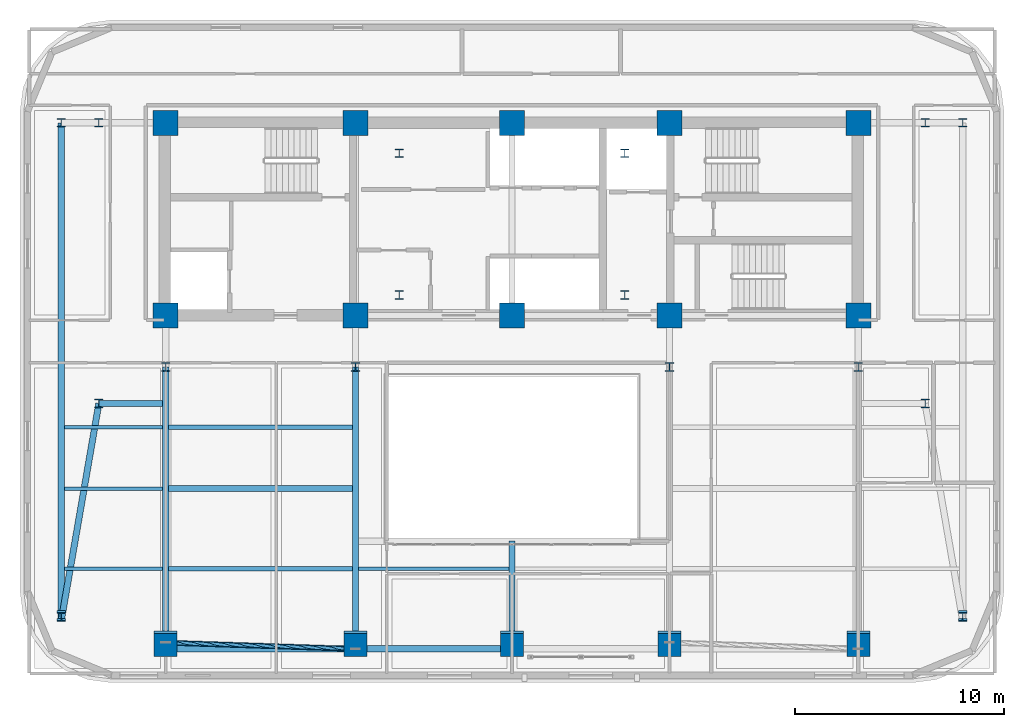
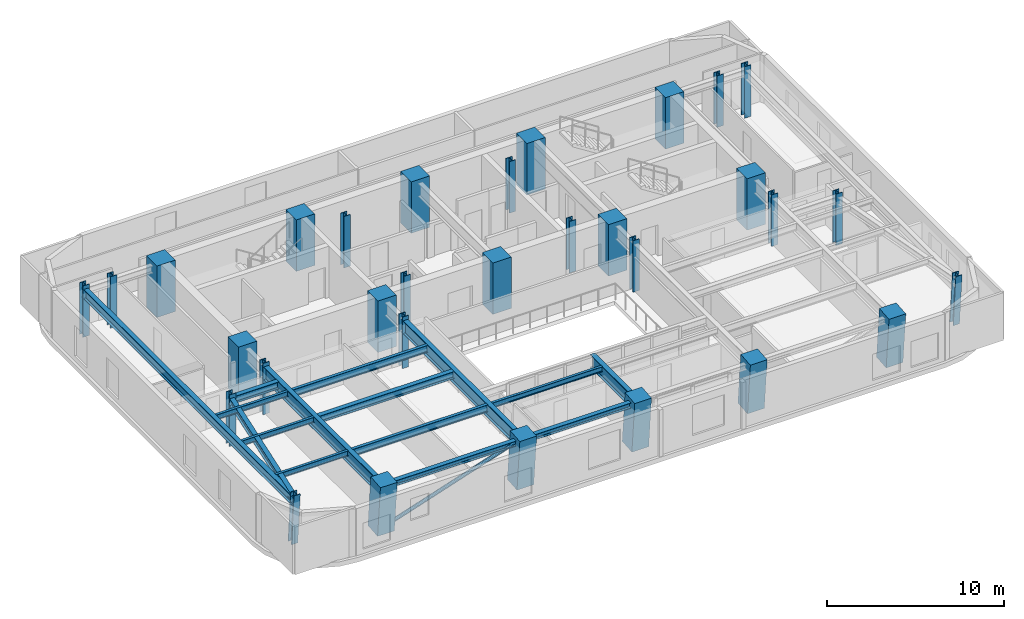
# One storey, part 1 of 12: 31 columns, 15 beams, 1 member.
"""IFC4 building model written with IfcOpenShell, lengths in metres."""

from ifc_helpers import new_model, si_unit, direction, frame, origin, origin_2d, place, context, subcontext, project, spatial, rectangle, hollow_circle, i_section, extrude, material, material_profile, profile_set, type_object, element, save


model = new_model("IFC4")

# Units and contexts
model_context = context("Model", 3, precision=1e-05, world=origin(), true_north=direction((0.0, 1.0)))
body_context = subcontext(model_context, "Body", "Model", "MODEL_VIEW")
ifc_project = project(units=[si_unit("LENGTHUNIT", "METRE"), si_unit("AREAUNIT", "SQUARE_METRE"), si_unit("VOLUMEUNIT", "CUBIC_METRE"), si_unit("PLANEANGLEUNIT", "RADIAN"), si_unit("MASSUNIT", "GRAM", prefix="KILO")], contexts=[model_context])

# Site, building, storey
site_placement = place(None, origin())
site = spatial("IfcSite", under=ifc_project, at=site_placement, CompositionType="ELEMENT")
building_placement = place(site_placement, origin())
building = spatial("IfcBuilding", under=site, at=building_placement, Name="Zarnavel Station Tower", CompositionType="ELEMENT")
storey_placement = place(building_placement, frame((0.0, 0.0, 155.449951171875)))
storey = spatial("IfcBuildingStorey", under=building, at=storey_placement, Name="L42", CompositionType="ELEMENT", Elevation=155.449951171875)

# Columns
ifc_material_1 = material(Name="Steel S355J2", Category="steel")
ifc_material_profile_1 = material_profile(ifc_material_1, i_section(OverallWidth=0.4130859375, OverallDepth=0.4150390625, WebThickness=0.030029296875, FlangeThickness=0.047119140625, FilletRadius=0.014892578125, at=origin_2d()), Name="HD400x347")
ifc_profile_set_1 = profile_set([ifc_material_profile_1], Name="Steel S355J2")
column_type_1 = type_object("IfcColumnType", Name="EC_HD347", PredefinedType="COLUMN", material=ifc_profile_set_1)
column_1_placement = place(storey_placement, frame((7.199951171875, 13.465087890625, 0.0), z_axis=(0.0, -0.079862380324, 0.996805898964), x_axis=(1.0, 0.0, 0.0)))
element("IfcColumn", 1, at=column_1_placement, inside=storey, type_object=column_type_1, Name="L42 Raked Wing Column 1", PredefinedType="COLUMN", context=body_context, shape_type="SweptSolid", body=[
    extrude(i_section(OverallWidth=0.4130859375, OverallDepth=0.4150390625, WebThickness=0.030029296875, FlangeThickness=0.047119140625, FilletRadius=0.014892578125, at=origin_2d()), origin(), (0.0, 0.0, 1.0), 3.5615234375),
])
column_2_placement = place(storey_placement, frame((7.199951171875, 37.050048828125, 0.0), z_axis=(0.0, 0.0, 1.0), x_axis=(1.0, 0.0, 0.0)))
element("IfcColumn", 2, at=column_2_placement, inside=storey, type_object=column_type_1, Name="L42 Outer Wing North Column 1", PredefinedType="COLUMN", context=body_context, shape_type="SweptSolid", body=[
    extrude(i_section(OverallWidth=0.4130859375, OverallDepth=0.4150390625, WebThickness=0.030029296875, FlangeThickness=0.047119140625, FilletRadius=0.014892578125, at=origin_2d()), origin(), (0.0, 0.0, 1.0), 3.550048828125),
])
column_3_placement = place(storey_placement, frame((50.39990234375, 13.465087890625, 0.0), z_axis=(0.0, -0.079862380324, 0.996805898964), x_axis=(1.0, 0.0, 0.0)))
element("IfcColumn", 3, at=column_3_placement, inside=storey, type_object=column_type_1, Name="L42 Raked Wing Column 2", PredefinedType="COLUMN", context=body_context, shape_type="SweptSolid", body=[
    extrude(i_section(OverallWidth=0.4130859375, OverallDepth=0.4150390625, WebThickness=0.030029296875, FlangeThickness=0.047119140625, FilletRadius=0.014892578125, at=origin_2d()), origin(), (0.0, 0.0, 1.0), 3.5615234375),
])
column_4_placement = place(storey_placement, frame((50.39990234375, 37.050048828125, 0.0), z_axis=(0.0, 0.0, 1.0), x_axis=(1.0, 0.0, 0.0)))
element("IfcColumn", 4, at=column_4_placement, inside=storey, type_object=column_type_1, Name="L42 Outer Wing North Column 2", PredefinedType="COLUMN", context=body_context, shape_type="SweptSolid", body=[
    extrude(i_section(OverallWidth=0.4130859375, OverallDepth=0.4150390625, WebThickness=0.030029296875, FlangeThickness=0.047119140625, FilletRadius=0.014892578125, at=origin_2d()), origin(), (0.0, 0.0, 1.0), 3.550048828125),
])
ifc_material_2 = material(Name="Steel S355J2", Category="steel")
ifc_material_profile_2 = material_profile(ifc_material_2, i_section(OverallWidth=0.4130859375, OverallDepth=0.4150390625, WebThickness=0.030029296875, FlangeThickness=0.047119140625, FilletRadius=0.014892578125, at=origin_2d()), Name="HD400x347")
ifc_profile_set_2 = profile_set([ifc_material_profile_2], Name="Steel S355J2")
column_type_2 = type_object("IfcColumnType", Name="IC_HD347", PredefinedType="COLUMN", material=ifc_profile_set_2)
for number, where, z_axis, x_axis, name in (
    (5, (23.39990234375, 28.800048828125, 0.0), (0.0, 0.0, 1.0), (1.0, 0.0, 0.0), "L42 Mast Spine Column 1"),
    (6, (34.199951171875, 28.800048828125, 0.0), (0.0, 0.0, 1.0), (1.0, 0.0, 0.0), "L42 Mast Spine Column 2"),
    (7, (34.199951171875, 35.60009765625, 0.0), (0.0, 0.0, 1.0), (1.0, 0.0, 0.0), "L42 Mast Spine Column 3"),
    (8, (23.39990234375, 35.60009765625, 0.0), (0.0, 0.0, 1.0), (1.0, 0.0, 0.0), "L42 Mast Spine Column 4"),
    (9, (12.199951171875, 25.35009765625, 0.0), (0.0, 0.0, 1.0), (1.0, 0.0, 0.0), "L42 Inner Spine Column 1"),
    (10, (21.300048828125, 25.35009765625, 0.0), (0.0, 0.0, 1.0), (1.0, 0.0, 0.0), "L42 Inner Spine Column 2"),
    (11, (36.35009765625, 25.35009765625, 0.0), (0.0, 0.0, 1.0), (1.0, 0.0, 0.0), "L42 Inner Spine Column 4"),
    (12, (45.39990234375, 25.35009765625, 0.0), (0.0, 0.0, 1.0), (1.0, 0.0, 0.0), "L42 Inner Spine Column 5"),
    (13, (9.0, 23.60009765625, 0.0), (0.0, 0.0, 1.0), (1.0, 0.0, 0.0), "L42 Inner Wing Spine Column 1-1"),
    (14, (9.0, 37.050048828125, 0.0), (0.0, 0.0, 1.0), (1.0, 0.0, 0.0), "L42 Inner Wing Spine Column 1-2"),
    (15, (48.60009765625, 23.60009765625, 0.0), (0.0, 0.0, 1.0), (1.0, 0.0, 0.0), "L42 Inner Wing Spine Column 2-1"),
    (16, (48.60009765625, 37.050048828125, 0.0), (0.0, 0.0, 1.0), (1.0, 0.0, 0.0), "L42 Inner Wing Spine Column 2-2"),
):
    element("IfcColumn", number, at=place(storey_placement, frame(where, z_axis=z_axis, x_axis=x_axis)), inside=storey, type_object=column_type_2, Name=name, PredefinedType="COLUMN", context=body_context, shape_type="SweptSolid", body=[
        extrude(i_section(OverallWidth=0.4130859375, OverallDepth=0.4150390625, WebThickness=0.030029296875, FlangeThickness=0.047119140625, FilletRadius=0.014892578125, at=origin_2d()), origin(), (0.0, 0.0, 1.0), 3.550048828125),
    ])
ifc_material_3 = material(Name="Concrete C50/60", Category="concrete")
ifc_material_profile_3 = material_profile(ifc_material_3, rectangle(XDim=1.199951171875, YDim=1.199951171875, at=origin_2d()), Name="RC1200x1200")
ifc_profile_set_3 = profile_set([ifc_material_profile_3], Name="Concrete C50/60")
column_type_3 = type_object("IfcColumnType", Name="IC_RC1200", PredefinedType="COLUMN", material=ifc_profile_set_3)
for number, where, z_axis, x_axis, name in (
    (17, (12.199951171875, 27.820068359375, 0.0), (0.0, 0.0, 1.0), (1.0, 0.0, 0.0), "L42 Core Spine Column 1-1"),
    (18, (12.199951171875, 37.050048828125, 0.0), (0.0, 0.0, 1.0), (1.0, 0.0, 0.0), "L42 Core Spine Column 1-2"),
    (19, (21.300048828125, 27.820068359375, 0.0), (0.0, 0.0, 1.0), (1.0, 0.0, 0.0), "L42 Core Spine Column 2-1"),
    (20, (21.300048828125, 37.050048828125, 0.0), (0.0, 0.0, 1.0), (1.0, 0.0, 0.0), "L42 Core Spine Column 2-2"),
    (21, (28.800048828125, 27.820068359375, 0.0), (0.0, 0.0, 1.0), (1.0, 0.0, 0.0), "L42 Core Spine Column 3-1"),
    (22, (28.800048828125, 37.050048828125, 0.0), (0.0, 0.0, 1.0), (1.0, 0.0, 0.0), "L42 Core Spine Column 3-2"),
    (23, (36.35009765625, 27.820068359375, 0.0), (0.0, 0.0, 1.0), (1.0, 0.0, 0.0), "L42 Core Spine Column 4-1"),
    (24, (36.35009765625, 37.050048828125, 0.0), (0.0, 0.0, 1.0), (1.0, 0.0, 0.0), "L42 Core Spine Column 4-2"),
    (25, (45.39990234375, 27.820068359375, 0.0), (0.0, 0.0, 1.0), (1.0, 0.0, 0.0), "L42 Core Spine Column 5-1"),
    (26, (45.39990234375, 37.050048828125, 0.0), (0.0, 0.0, 1.0), (1.0, 0.0, 0.0), "L42 Core Spine Column 5-2"),
):
    element("IfcColumn", number, at=place(storey_placement, frame(where, z_axis=z_axis, x_axis=x_axis)), inside=storey, type_object=column_type_3, Name=name, PredefinedType="COLUMN", context=body_context, shape_type="SweptSolid", body=[
        extrude(rectangle(XDim=1.199951171875, YDim=1.199951171875, at=origin_2d()), origin(), (0.0, 0.0, 1.0), 3.550048828125),
    ])
ifc_material_4 = material(Name="Concrete C50/60", Category="concrete")
ifc_material_profile_4 = material_profile(ifc_material_4, rectangle(XDim=1.10009765625, YDim=1.10009765625, at=origin_2d()), Name="RC1100x1100")
ifc_profile_set_4 = profile_set([ifc_material_profile_4], Name="Concrete C50/60")
column_type_4 = type_object("IfcColumnType", Name="MC_RC1100", PredefinedType="COLUMN", material=ifc_profile_set_4)
for number, where, z_axis, x_axis, name in (
    (27, (12.199951171875, 12.14111328125, 0.0), (0.0, -0.0902702026, 0.995917311087), (1.0, 0.0, 0.0), "L42 Raked South Mega-Column 1"),
    (28, (21.300048828125, 12.14111328125, 0.0), (0.0, -0.0902702026, 0.995917311087), (1.0, 0.0, 0.0), "L42 Raked South Mega-Column 2"),
    (29, (28.800048828125, 12.14111328125, 0.0), (0.0, -0.0902702026, 0.995917311087), (1.0, 0.0, 0.0), "L42 Raked South Mega-Column 3"),
    (30, (36.35009765625, 12.14111328125, 0.0), (0.0, -0.0902702026, 0.995917311087), (1.0, 0.0, 0.0), "L42 Raked South Mega-Column 4"),
    (31, (45.39990234375, 12.14111328125, 0.0), (0.0, -0.0902702026, 0.995917311087), (1.0, 0.0, 0.0), "L42 Raked South Mega-Column 5"),
):
    element("IfcColumn", number, at=place(storey_placement, frame(where, z_axis=z_axis, x_axis=x_axis)), inside=storey, type_object=column_type_4, Name=name, PredefinedType="COLUMN", context=body_context, shape_type="SweptSolid", body=[
        extrude(rectangle(XDim=1.10009765625, YDim=1.10009765625, at=origin_2d()), origin(), (0.0, 0.0, 1.0), 3.564697265625),
    ])

# Member
ifc_material_5 = material(Name="Steel S355J2", Category="steel")
ifc_material_profile_5 = material_profile(ifc_material_5, hollow_circle(Radius=0.122314453125, WallThickness=0.010009765625, at=origin_2d()), Name="CHS244.5x10")
ifc_profile_set_5 = profile_set([ifc_material_profile_5], Name="Steel S355J2")
member_type = type_object("IfcMemberType", Name="DB_EXT_CHS245", PredefinedType="BRACE", material=ifc_profile_set_5)
member_placement = place(storey_placement, frame((12.199951171875, 12.14111328125, 0.0), z_axis=(0.93997940641, -0.030791298364, 0.339839096442), x_axis=(0.032739857023, 0.999463907183, 0.0)))
element("IfcMember", 32, at=member_placement, inside=storey, type_object=member_type, Name="L42 Persian Exterior Diagonal Frame Brace 1", PredefinedType="BRACE", context=body_context, shape_type="SweptSolid", body=[
    extrude(hollow_circle(Radius=0.122314453125, WallThickness=0.010009765625, at=origin_2d()), origin(), (0.0, 0.0, 1.0), 9.68115234375),
])

# Beams
ifc_material_6 = material(Name="Steel S355J2", Category="steel")
ifc_material_profile_6 = material_profile(ifc_material_6, i_section(OverallWidth=0.300048828125, OverallDepth=0.360107421875, WebThickness=0.012451171875, FlangeThickness=0.0224609375, FilletRadius=0.027099609375, at=origin_2d()), Name="HEB360")
ifc_profile_set_6 = profile_set([ifc_material_profile_6], Name="Steel S355J2")
beam_type_1 = type_object("IfcBeamType", Name="EB_HEB360", PredefinedType="SPANDREL", material=ifc_profile_set_6)
beam_1_placement = place(storey_placement, frame((12.199951171875, 11.843017578125, 3.110107421875), z_axis=(1.0, 0.0, 0.0), x_axis=(0.0, 1.0, 0.0)))
element("IfcBeam", 33, at=beam_1_placement, inside=storey, type_object=beam_type_1, Name="L42 South Raked Spandrel 1", PredefinedType="SPANDREL", context=body_context, shape_type="SweptSolid", body=[
    extrude(i_section(OverallWidth=0.300048828125, OverallDepth=0.360107421875, WebThickness=0.012451171875, FlangeThickness=0.0224609375, FilletRadius=0.027099609375, at=origin_2d()), origin(), (0.0, 0.0, 1.0), 9.10009765625),
])
beam_2_placement = place(storey_placement, frame((21.300048828125, 11.843017578125, 3.110107421875), z_axis=(1.0, 0.0, 0.0), x_axis=(0.0, 1.0, 0.0)))
element("IfcBeam", 34, at=beam_2_placement, inside=storey, type_object=beam_type_1, Name="L42 South Raked Spandrel 2", PredefinedType="SPANDREL", context=body_context, shape_type="SweptSolid", body=[
    extrude(i_section(OverallWidth=0.300048828125, OverallDepth=0.360107421875, WebThickness=0.012451171875, FlangeThickness=0.0224609375, FilletRadius=0.027099609375, at=origin_2d()), origin(), (0.0, 0.0, 1.0), 7.5),
])
ifc_material_7 = material(Name="Steel S355J2", Category="steel")
ifc_material_profile_7 = material_profile(ifc_material_7, i_section(OverallWidth=0.300048828125, OverallDepth=0.489990234375, WebThickness=0.011962890625, FlangeThickness=0.02294921875, FilletRadius=0.027099609375, at=origin_2d()), Name="HEA500")
ifc_profile_set_7 = profile_set([ifc_material_profile_7], Name="Steel S355J2")
beam_type_2 = type_object("IfcBeamType", Name="FB_HEA500", PredefinedType="BEAM", material=ifc_profile_set_7)
beam_3_placement = place(storey_placement, frame((12.344970703125, 19.521484375, 3.045166015625), z_axis=(1.0, 0.0, 0.0), x_axis=(0.0, 1.0, 0.0)))
element("IfcBeam", 35, at=beam_3_placement, inside=storey, type_object=beam_type_2, Name="L42 West Bay Beam 2", PredefinedType="BEAM", context=body_context, shape_type="SweptSolid", body=[
    extrude(i_section(OverallWidth=0.300048828125, OverallDepth=0.489990234375, WebThickness=0.011962890625, FlangeThickness=0.02294921875, FilletRadius=0.027099609375, at=origin_2d()), origin(), (0.0, 0.0, 1.0), 8.81005859375),
])
ifc_material_8 = material(Name="Steel S355J2", Category="steel")
ifc_material_profile_8 = material_profile(ifc_material_8, i_section(OverallWidth=0.199951171875, OverallDepth=0.5, WebThickness=0.01025390625, FlangeThickness=0.01611328125, FilletRadius=0.02099609375, at=origin_2d()), Name="IPE500")
ifc_profile_set_8 = profile_set([ifc_material_profile_8], Name="Steel S355J2")
beam_type_3 = type_object("IfcBeamType", Name="FB_IPE500", PredefinedType="BEAM", material=ifc_profile_set_8)
for number, where, z_axis, x_axis, name in (
    (36, (12.344970703125, 15.68212890625, 3.0400390625), (1.0, 0.0, 0.0), (0.0, 1.0, 0.0), "L42 West Bay Beam 1"),
    (37, (12.344970703125, 22.460693359375, 3.0400390625), (1.0, 0.0, 0.0), (0.0, 1.0, 0.0), "L42 West Bay Beam 3"),
):
    element("IfcBeam", number, at=place(storey_placement, frame(where, z_axis=z_axis, x_axis=x_axis)), inside=storey, type_object=beam_type_3, Name=name, PredefinedType="BEAM", context=body_context, shape_type="SweptSolid", body=[
        extrude(i_section(OverallWidth=0.199951171875, OverallDepth=0.5, WebThickness=0.01025390625, FlangeThickness=0.01611328125, FilletRadius=0.02099609375, at=origin_2d()), origin(), (0.0, 0.0, 1.0), 8.81005859375),
    ])
ifc_material_9 = material(Name="Steel S355J2", Category="steel")
ifc_material_profile_9 = material_profile(ifc_material_9, i_section(OverallWidth=0.300048828125, OverallDepth=0.5, WebThickness=0.014404296875, FlangeThickness=0.028076171875, FilletRadius=0.027099609375, at=origin_2d()), Name="HEB500")
ifc_profile_set_9 = profile_set([ifc_material_profile_9], Name="Steel S355J2")
beam_type_4 = type_object("IfcBeamType", Name="FG_HEB500", PredefinedType="USERDEFINED", material=ifc_profile_set_9)
beam_4_placement = place(storey_placement, frame((7.199951171875, 13.201416015625, 3.0400390625), z_axis=(0.170566918419, 0.9853460947, 0.0), x_axis=(-0.9853460947, 0.170566918419, 0.0)))
element("IfcBeam", 38, at=beam_4_placement, inside=storey, type_object=beam_type_4, Name="L42 West Wing South Tie 1", ObjectType="GIRDER", PredefinedType="USERDEFINED", context=body_context, shape_type="SweptSolid", body=[
    extrude(i_section(OverallWidth=0.300048828125, OverallDepth=0.5, WebThickness=0.014404296875, FlangeThickness=0.028076171875, FilletRadius=0.027099609375, at=origin_2d()), origin(), (0.0, 0.0, 1.0), 10.55322265625),
])
beam_5_placement = place(storey_placement, frame((9.0, 23.60009765625, 3.0400390625), z_axis=(1.0, 0.0, 0.0), x_axis=(0.0, 1.0, 0.0)))
element("IfcBeam", 39, at=beam_5_placement, inside=storey, type_object=beam_type_4, Name="L42 West Wing South Tie 2", ObjectType="GIRDER", PredefinedType="USERDEFINED", context=body_context, shape_type="SweptSolid", body=[
    extrude(i_section(OverallWidth=0.300048828125, OverallDepth=0.5, WebThickness=0.014404296875, FlangeThickness=0.028076171875, FilletRadius=0.027099609375, at=origin_2d()), origin(), (0.0, 0.0, 1.0), 3.054931640625),
])
ifc_material_10 = material(Name="Steel S355J2", Category="steel")
ifc_material_profile_10 = material_profile(ifc_material_10, i_section(OverallWidth=0.300048828125, OverallDepth=0.64990234375, WebThickness=0.01611328125, FlangeThickness=0.031005859375, FilletRadius=0.027099609375, at=origin_2d()), Name="HEB650")
ifc_profile_set_10 = profile_set([ifc_material_profile_10], Name="Steel S355J2")
beam_type_5 = type_object("IfcBeamType", Name="FG_HEB650", PredefinedType="USERDEFINED", material=ifc_profile_set_10)
beam_6_placement = place(storey_placement, frame((7.199951171875, 13.201416015625, 2.965087890625), z_axis=(0.0, 1.0, 0.0), x_axis=(-1.0, 0.0, 0.0)))
element("IfcBeam", 40, at=beam_6_placement, inside=storey, type_object=beam_type_5, Name="L42 Wing NS Girder 1", ObjectType="GIRDER", PredefinedType="USERDEFINED", context=body_context, shape_type="SweptSolid", body=[
    extrude(i_section(OverallWidth=0.300048828125, OverallDepth=0.64990234375, WebThickness=0.01611328125, FlangeThickness=0.031005859375, FilletRadius=0.027099609375, at=origin_2d()), origin(), (0.0, 0.0, 1.0), 23.8486328125),
])
ifc_material_11 = material(Name="Steel S355J2", Category="steel")
ifc_material_profile_11 = material_profile(ifc_material_11, i_section(OverallWidth=0.169921875, OverallDepth=0.360107421875, WebThickness=0.008056640625, FlangeThickness=0.0126953125, FilletRadius=0.01806640625, at=origin_2d()), Name="IPE360")
ifc_profile_set_11 = profile_set([ifc_material_profile_11], Name="Steel S355J2")
beam_type_6 = type_object("IfcBeamType", Name="FJ_IPE360", PredefinedType="JOIST", material=ifc_profile_set_11)
beam_7_placement = place(storey_placement, frame((21.445068359375, 15.68212890625, 3.110107421875), z_axis=(1.0, 0.0, 0.0), x_axis=(0.0, 1.0, 0.0)))
element("IfcBeam", 41, at=beam_7_placement, inside=storey, type_object=beam_type_6, Name="L42 Mid-West Joist 1", PredefinedType="JOIST", context=body_context, shape_type="SweptSolid", body=[
    extrude(i_section(OverallWidth=0.169921875, OverallDepth=0.360107421875, WebThickness=0.008056640625, FlangeThickness=0.0126953125, FilletRadius=0.01806640625, at=origin_2d()), origin(), (0.0, 0.0, 1.0), 7.2099609375),
])
for number, where, z_axis, x_axis, name in (
    (42, (7.344970703125, 15.68212890625, 3.110107421875), (1.0, 0.0, 0.0), (0.0, 1.0, 0.0), "L42 West Wing Joist 1"),
    (43, (7.344970703125, 19.521484375, 3.110107421875), (1.0, 0.0, 0.0), (0.0, 1.0, 0.0), "L42 West Wing Joist 2"),
    (44, (7.344970703125, 22.460693359375, 3.110107421875), (1.0, 0.0, 0.0), (0.0, 1.0, 0.0), "L42 West Wing Joist 3"),
):
    element("IfcBeam", number, at=place(storey_placement, frame(where, z_axis=z_axis, x_axis=x_axis)), inside=storey, type_object=beam_type_6, Name=name, PredefinedType="JOIST", context=body_context, shape_type="SweptSolid", body=[
        extrude(i_section(OverallWidth=0.169921875, OverallDepth=0.360107421875, WebThickness=0.008056640625, FlangeThickness=0.0126953125, FilletRadius=0.01806640625, at=origin_2d()), origin(), (0.0, 0.0, 1.0), 4.7099609375),
    ])
ifc_material_12 = material(Name="Steel S460M", Category="steel")
ifc_material_profile_12 = material_profile(ifc_material_12, i_section(OverallWidth=0.302001953125, OverallDepth=0.909912109375, WebThickness=0.02099609375, FlangeThickness=0.0400390625, FilletRadius=0.030029296875, at=origin_2d()), Name="HEM900")
ifc_profile_set_12 = profile_set([ifc_material_profile_12], Name="Steel S460M")
beam_type_7 = type_object("IfcBeamType", Name="TG_HEM900", PredefinedType="USERDEFINED", material=ifc_profile_set_12)
for number, where, z_axis, x_axis, name in (
    (45, (12.199951171875, 11.843017578125, 2.8349609375), (0.0, 1.0, 0.0), (-1.0, 0.0, 0.0), "L42 South-Zone NS Girder 1"),
    (46, (21.300048828125, 11.843017578125, 2.8349609375), (0.0, 1.0, 0.0), (-1.0, 0.0, 0.0), "L42 South-Zone NS Girder 2"),
):
    element("IfcBeam", number, at=place(storey_placement, frame(where, z_axis=z_axis, x_axis=x_axis)), inside=storey, type_object=beam_type_7, Name=name, ObjectType="GIRDER", PredefinedType="USERDEFINED", context=body_context, shape_type="SweptSolid", body=[
        extrude(i_section(OverallWidth=0.302001953125, OverallDepth=0.909912109375, WebThickness=0.02099609375, FlangeThickness=0.0400390625, FilletRadius=0.030029296875, at=origin_2d()), origin(), (0.0, 0.0, 1.0), 13.507080078125),
    ])
beam_8_placement = place(storey_placement, frame((28.800048828125, 11.843017578125, 2.8349609375), z_axis=(0.0, 1.0, 0.0), x_axis=(-1.0, 0.0, 0.0)))
element("IfcBeam", 47, at=beam_8_placement, inside=storey, type_object=beam_type_7, Name="L42 Central Atrium-South Girder", ObjectType="GIRDER", PredefinedType="USERDEFINED", context=body_context, shape_type="SweptSolid", body=[
    extrude(i_section(OverallWidth=0.302001953125, OverallDepth=0.909912109375, WebThickness=0.02099609375, FlangeThickness=0.0400390625, FilletRadius=0.030029296875, at=origin_2d()), origin(), (0.0, 0.0, 1.0), 5.156982421875),
])

save(model, "model.ifc")
